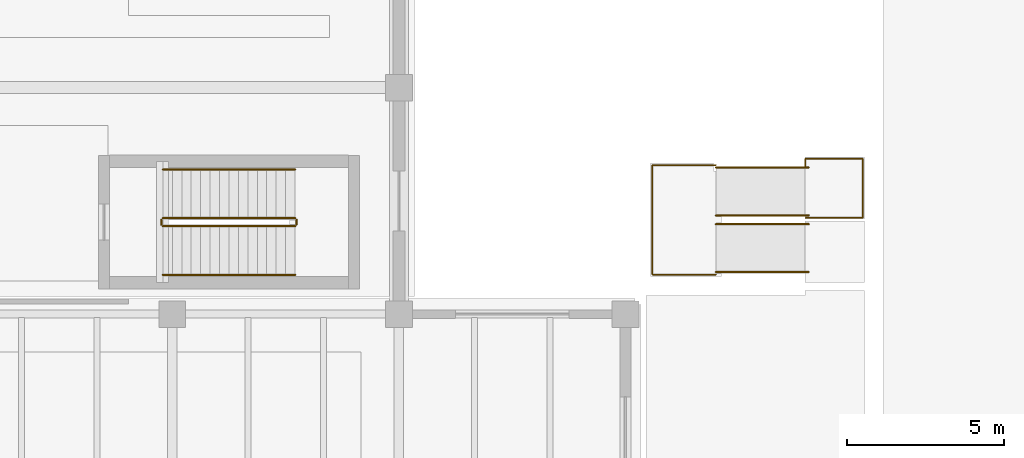
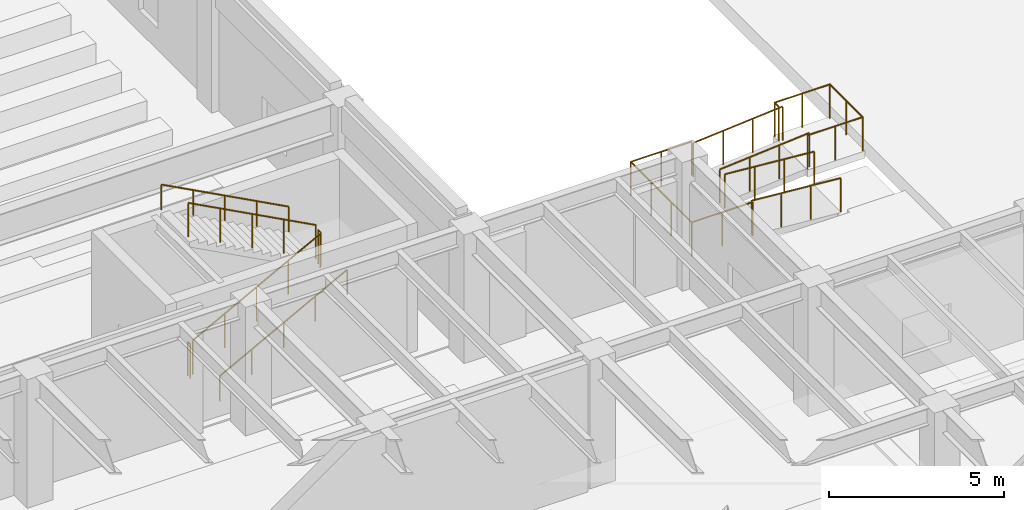
# One storey, part 37 of 39: 12 railings.
"""IFC4 building model written with IfcOpenShell, lengths in metres."""

from ifc_helpers import new_model, si_unit, direction, frame, origin, origin_2d, place, context, subcontext, project, spatial, circle, extrude, material, type_object, element, save


model = new_model("IFC4")

# Units and contexts
model_context = context("Model", 3, precision=1e-05, world=origin(), true_north=direction((0.0, 1.0)))
body_context = subcontext(model_context, "Body", "Model", "MODEL_VIEW")
ifc_project = project(units=[si_unit("LENGTHUNIT", "METRE"), si_unit("AREAUNIT", "SQUARE_METRE"), si_unit("VOLUMEUNIT", "CUBIC_METRE"), si_unit("PLANEANGLEUNIT", "RADIAN"), si_unit("MASSUNIT", "GRAM", prefix="KILO")], contexts=[model_context])

# Site, building, storey
site_placement = place(None, origin())
site = spatial("IfcSite", under=ifc_project, at=site_placement, CompositionType="ELEMENT")
building_placement = place(site_placement, origin())
building = spatial("IfcBuilding", under=site, at=building_placement, Name="Kandorven Conservatory and Botanical Research Centre", CompositionType="ELEMENT")
storey_placement = place(building_placement, origin())
storey = spatial("IfcBuildingStorey", under=building, at=storey_placement, Name="L00", CompositionType="ELEMENT", Elevation=0.0)

# Railings
ifc_material_1 = material(Name="Steel S355 (IS 2062 E350)", Category="steel")
railing_type_1 = type_object("IfcRailingType", Name="Guard_Terrace", PredefinedType="BALUSTRADE", material=ifc_material_1)
for number, where, name in (
    (1, (44.8798828125, 36.139892578125, -0.239990234375), "Courtyard accessible ramp guard balustrade GR-01 (RAIL-RAMP-F1-S)"),
    (2, (44.8798828125, 37.659912109375, -0.239990234375), "Courtyard accessible ramp guard balustrade GR-01 (RAIL-RAMP-F1-N)"),
):
    element("IfcRailing", number, at=place(storey_placement, frame(where)), inside=storey, type_object=railing_type_1, Name=name, PredefinedType="BALUSTRADE", context=body_context, shape_type="SweptSolid", body=[
        extrude(circle(Radius=0.02392578125, at=origin_2d()), frame((0.0, 0.0, 1.17578125), z_axis=(0.996685300608, 0.0, -0.081353620402), x_axis=(0.0, 1.0, 0.0)), (0.0, 0.0, 1.0), 2.949951171875),
        extrude(circle(Radius=0.02099609375, at=origin_2d()), origin(), (0.0, 0.0, 1.0), 1.15185546875),
        extrude(circle(Radius=0.02099609375, at=origin_2d()), frame((0.97998046875, 0.0, -0.080078125)), (0.0, 0.0, 1.0), 1.15185546875),
        extrude(circle(Radius=0.02099609375, at=origin_2d()), frame((1.960205078125, 0.0, -0.159912109375)), (0.0, 0.0, 1.0), 1.15185546875),
        extrude(circle(Radius=0.02099609375, at=origin_2d()), frame((2.940185546875, 0.0, -0.239990234375)), (0.0, 0.0, 1.0), 1.15185546875),
    ])
for number, where, name in (
    (3, (44.8798828125, 37.93994140625, -0.239990234375), "Courtyard accessible ramp guard balustrade GR-01 (RAIL-RAMP-F2-S)"),
    (4, (44.8798828125, 39.4599609375, -0.239990234375), "Courtyard accessible ramp guard balustrade GR-01 (RAIL-RAMP-F2-N)"),
):
    element("IfcRailing", number, at=place(storey_placement, frame(where)), inside=storey, type_object=railing_type_1, Name=name, PredefinedType="BALUSTRADE", context=body_context, shape_type="SweptSolid", body=[
        extrude(circle(Radius=0.02392578125, at=origin_2d()), frame((0.0, 0.0, 1.17578125), z_axis=(0.996685300608, 0.0, 0.081353620402), x_axis=(0.0, 1.0, 0.0)), (0.0, 0.0, 1.0), 2.949951171875),
        extrude(circle(Radius=0.02099609375, at=origin_2d()), origin(), (0.0, 0.0, 1.0), 1.15185546875),
        extrude(circle(Radius=0.02099609375, at=origin_2d()), frame((0.97998046875, 0.0, 0.080078125)), (0.0, 0.0, 1.0), 1.15185546875),
        extrude(circle(Radius=0.02099609375, at=origin_2d()), frame((1.960205078125, 0.0, 0.159912109375)), (0.0, 0.0, 1.0), 1.15185546875),
        extrude(circle(Radius=0.02099609375, at=origin_2d()), frame((2.940185546875, 0.0, 0.239990234375)), (0.0, 0.0, 1.0), 1.15185546875),
    ])
railing_1_placement = place(storey_placement, frame((44.8798828125, 36.06005859375, -0.239990234375)))
element("IfcRailing", 5, at=railing_1_placement, inside=storey, type_object=railing_type_1, Name="Courtyard accessible ramp guard balustrade GR-01 (RAIL-RAMP-LDG)", PredefinedType="BALUSTRADE", context=body_context, shape_type="SweptSolid", body=[
    extrude(circle(Radius=0.02392578125, at=origin_2d()), frame((0.0, 0.0, 1.17578125), z_axis=(-1.0, 0.0, 0.0), x_axis=(0.0, -1.0, 0.0)), (0.0, 0.0, 1.0), 2.019775390625),
    extrude(circle(Radius=0.02392578125, at=origin_2d()), frame((-2.019775390625, 0.0, 1.17578125), z_axis=(0.0, 1.0, 0.0), x_axis=(-1.0, 0.0, 0.0)), (0.0, 0.0, 1.0), 3.47998046875),
    extrude(circle(Radius=0.02392578125, at=origin_2d()), frame((-2.019775390625, 3.47998046875, 1.17578125), z_axis=(1.0, 0.0, 0.0), x_axis=(0.0, 1.0, 0.0)), (0.0, 0.0, 1.0), 2.019775390625),
    extrude(circle(Radius=0.02099609375, at=origin_2d()), origin(), (0.0, 0.0, 1.0), 1.15185546875),
    extrude(circle(Radius=0.02099609375, at=origin_2d()), frame((-1.009765625, 0.0, 0.0)), (0.0, 0.0, 1.0), 1.15185546875),
    extrude(circle(Radius=0.02099609375, at=origin_2d()), frame((-2.019775390625, 0.0, 0.0)), (0.0, 0.0, 1.0), 1.15185546875),
    extrude(circle(Radius=0.02099609375, at=origin_2d()), frame((-2.019775390625, 1.159912109375, 0.0)), (0.0, 0.0, 1.0), 1.15185546875),
    extrude(circle(Radius=0.02099609375, at=origin_2d()), frame((-2.019775390625, 2.320068359375, 0.0)), (0.0, 0.0, 1.0), 1.15185546875),
    extrude(circle(Radius=0.02099609375, at=origin_2d()), frame((-2.019775390625, 3.47998046875, 0.0)), (0.0, 0.0, 1.0), 1.15185546875),
    extrude(circle(Radius=0.02099609375, at=origin_2d()), frame((-1.009765625, 3.47998046875, 0.0)), (0.0, 0.0, 1.0), 1.15185546875),
    extrude(circle(Radius=0.02099609375, at=origin_2d()), frame((0.0, 3.47998046875, 0.0)), (0.0, 0.0, 1.0), 1.15185546875),
])
railing_2_placement = place(storey_placement, frame((47.719970703125, 39.5, 0.0)))
element("IfcRailing", 6, at=railing_2_placement, inside=storey, type_object=railing_type_1, Name="Courtyard accessible ramp guard balustrade GR-01 (RAIL-RAMP-ARR)", PredefinedType="BALUSTRADE", context=body_context, shape_type="SweptSolid", body=[
    extrude(circle(Radius=0.02392578125, at=origin_2d()), frame((0.0, 0.0, 1.17578125), z_axis=(0.0, 1.0, 0.0), x_axis=(-1.0, 0.0, 0.0)), (0.0, 0.0, 1.0), 0.239990234375),
    extrude(circle(Radius=0.02392578125, at=origin_2d()), frame((0.0, 0.239990234375, 1.17578125), z_axis=(1.0, 0.0, 0.0), x_axis=(0.0, 1.0, 0.0)), (0.0, 0.0, 1.0), 1.820068359375),
    extrude(circle(Radius=0.02392578125, at=origin_2d()), frame((1.820068359375, 0.239990234375, 1.17578125), z_axis=(0.0, -1.0, 0.0), x_axis=(1.0, 0.0, 0.0)), (0.0, 0.0, 1.0), 1.8798828125),
    extrude(circle(Radius=0.02392578125, at=origin_2d()), frame((1.820068359375, -1.639892578125, 1.17578125), z_axis=(-1.0, 0.0, 0.0), x_axis=(0.0, -1.0, 0.0)), (0.0, 0.0, 1.0), 1.820068359375),
    extrude(circle(Radius=0.02099609375, at=origin_2d()), origin(), (0.0, 0.0, 1.0), 1.15185546875),
    extrude(circle(Radius=0.02099609375, at=origin_2d()), frame((0.0, 0.239990234375, 0.0)), (0.0, 0.0, 1.0), 1.15185546875),
    extrude(circle(Radius=0.02099609375, at=origin_2d()), frame((0.91015625, 0.239990234375, 0.0)), (0.0, 0.0, 1.0), 1.15185546875),
    extrude(circle(Radius=0.02099609375, at=origin_2d()), frame((1.820068359375, 0.239990234375, 0.0)), (0.0, 0.0, 1.0), 1.15185546875),
    extrude(circle(Radius=0.02099609375, at=origin_2d()), frame((1.820068359375, -0.699951171875, 0.0)), (0.0, 0.0, 1.0), 1.15185546875),
    extrude(circle(Radius=0.02099609375, at=origin_2d()), frame((1.820068359375, -1.639892578125, 0.0)), (0.0, 0.0, 1.0), 1.15185546875),
    extrude(circle(Radius=0.02099609375, at=origin_2d()), frame((0.91015625, -1.639892578125, 0.0)), (0.0, 0.0, 1.0), 1.15185546875),
    extrude(circle(Radius=0.02099609375, at=origin_2d()), frame((0.0, -1.639892578125, 0.0)), (0.0, 0.0, 1.0), 1.15185546875),
])
ifc_material_2 = material(Name="Steel S355 (IS 2062 E350)", Category="steel")
railing_type_2 = type_object("IfcRailingType", Name="StairGuard_1150", PredefinedType="BALUSTRADE", material=ifc_material_2)
railing_3_placement = place(storey_placement, frame((27.300048828125, 37.60009765625, 0.159912109375)))
element("IfcRailing", 7, at=railing_3_placement, inside=storey, type_object=railing_type_2, Name="L00 ST-V2 stair guard 1", PredefinedType="BALUSTRADE", context=body_context, shape_type="SweptSolid", body=[
    extrude(circle(Radius=0.02392578125, at=origin_2d()), frame((0.0, 0.0, 1.17578125), z_axis=(0.882351521365, 0.0, 0.470590897432), x_axis=(0.0, 1.0, 0.0)), (0.0, 0.0, 1.0), 4.760009765625),
    extrude(circle(Radius=0.02099609375, at=origin_2d()), origin(), (0.0, 0.0, 1.0), 1.15185546875),
    extrude(circle(Radius=0.02099609375, at=origin_2d()), frame((1.050048828125, 0.0, 0.56005859375)), (0.0, 0.0, 1.0), 1.15185546875),
    extrude(circle(Radius=0.02099609375, at=origin_2d()), frame((2.10009765625, 0.0, 1.1201171875)), (0.0, 0.0, 1.0), 1.15185546875),
    extrude(circle(Radius=0.02099609375, at=origin_2d()), frame((3.14990234375, 0.0, 1.679931640625)), (0.0, 0.0, 1.0), 1.15185546875),
    extrude(circle(Radius=0.02099609375, at=origin_2d()), frame((4.199951171875, 0.0, 2.239990234375)), (0.0, 0.0, 1.0), 1.15185546875),
])
railing_4_placement = place(storey_placement, frame((31.550048828125, 37.64990234375, 2.39990234375)))
element("IfcRailing", 8, at=railing_4_placement, inside=storey, type_object=railing_type_2, Name="L00 ST-V2 stair guard 2", PredefinedType="BALUSTRADE", context=body_context, shape_type="SweptSolid", body=[
    extrude(circle(Radius=0.02392578125, at=origin_2d()), frame((0.0, 0.0, 1.17578125), z_axis=(0.0, 1.0, 0.0), x_axis=(-1.0, 0.0, 0.0)), (0.0, 0.0, 1.0), 0.150146484375),
    extrude(circle(Radius=0.02099609375, at=origin_2d()), origin(), (0.0, 0.0, 1.0), 1.15185546875),
    extrude(circle(Radius=0.02099609375, at=origin_2d()), frame((0.0, 0.150146484375, 0.0)), (0.0, 0.0, 1.0), 1.15185546875),
])
railing_5_placement = place(storey_placement, frame((31.5, 37.85009765625, 2.56005859375)))
element("IfcRailing", 9, at=railing_5_placement, inside=storey, type_object=railing_type_2, Name="L00 ST-V2 stair guard 3", PredefinedType="BALUSTRADE", context=body_context, shape_type="SweptSolid", body=[
    extrude(circle(Radius=0.02392578125, at=origin_2d()), frame((0.0, 0.0, 1.17578125), z_axis=(-0.882351521365, 0.0, 0.470590897432), x_axis=(0.0, -1.0, 0.0)), (0.0, 0.0, 1.0), 4.760009765625),
    extrude(circle(Radius=0.02099609375, at=origin_2d()), origin(), (0.0, 0.0, 1.0), 1.15185546875),
    extrude(circle(Radius=0.02099609375, at=origin_2d()), frame((-1.050048828125, 0.0, 0.56005859375)), (0.0, 0.0, 1.0), 1.15185546875),
    extrude(circle(Radius=0.02099609375, at=origin_2d()), frame((-2.10009765625, 0.0, 1.1201171875)), (0.0, 0.0, 1.0), 1.15185546875),
    extrude(circle(Radius=0.02099609375, at=origin_2d()), frame((-3.14990234375, 0.0, 1.679931640625)), (0.0, 0.0, 1.0), 1.15185546875),
    extrude(circle(Radius=0.02099609375, at=origin_2d()), frame((-4.199951171875, 0.0, 2.239990234375)), (0.0, 0.0, 1.0), 1.15185546875),
])
railing_6_placement = place(storey_placement, frame((27.25, 37.64990234375, 0.0)))
element("IfcRailing", 10, at=railing_6_placement, inside=storey, type_object=railing_type_2, Name="L00 ST-V2 stair guard 4", PredefinedType="BALUSTRADE", context=body_context, shape_type="SweptSolid", body=[
    extrude(circle(Radius=0.02392578125, at=origin_2d()), frame((0.0, 0.0, 1.17578125), z_axis=(0.0, 1.0, 0.0), x_axis=(-1.0, 0.0, 0.0)), (0.0, 0.0, 1.0), 0.150146484375),
    extrude(circle(Radius=0.02099609375, at=origin_2d()), origin(), (0.0, 0.0, 1.0), 1.15185546875),
    extrude(circle(Radius=0.02099609375, at=origin_2d()), frame((0.0, 0.150146484375, 0.0)), (0.0, 0.0, 1.0), 1.15185546875),
])
ifc_material_3 = material(Name="Steel S355 (IS 2062 E350)", Category="steel")
railing_type_3 = type_object("IfcRailingType", Name="StairHandrail_900", PredefinedType="HANDRAIL", material=ifc_material_3)
railing_7_placement = place(storey_placement, frame((27.300048828125, 36.050048828125, 0.159912109375)))
element("IfcRailing", 11, at=railing_7_placement, inside=storey, type_object=railing_type_3, Name="L00 ST-V2 stair handrail 1", PredefinedType="HANDRAIL", context=body_context, shape_type="SweptSolid", body=[
    extrude(circle(Radius=0.02392578125, at=origin_2d()), frame((0.0, 0.0, 0.8759765625), z_axis=(0.882351521365, 0.0, 0.470590897432), x_axis=(0.0, 1.0, 0.0)), (0.0, 0.0, 1.0), 4.760009765625),
    extrude(circle(Radius=0.02099609375, at=origin_2d()), origin(), (0.0, 0.0, 1.0), 0.851806640625),
    extrude(circle(Radius=0.02099609375, at=origin_2d()), frame((1.050048828125, 0.0, 0.56005859375)), (0.0, 0.0, 1.0), 0.851806640625),
    extrude(circle(Radius=0.02099609375, at=origin_2d()), frame((2.10009765625, 0.0, 1.1201171875)), (0.0, 0.0, 1.0), 0.851806640625),
    extrude(circle(Radius=0.02099609375, at=origin_2d()), frame((3.14990234375, 0.0, 1.679931640625)), (0.0, 0.0, 1.0), 0.851806640625),
    extrude(circle(Radius=0.02099609375, at=origin_2d()), frame((4.199951171875, 0.0, 2.239990234375)), (0.0, 0.0, 1.0), 0.851806640625),
])
railing_8_placement = place(storey_placement, frame((31.5, 39.39990234375, 2.56005859375)))
element("IfcRailing", 12, at=railing_8_placement, inside=storey, type_object=railing_type_3, Name="L00 ST-V2 stair handrail 2", PredefinedType="HANDRAIL", context=body_context, shape_type="SweptSolid", body=[
    extrude(circle(Radius=0.02392578125, at=origin_2d()), frame((0.0, 0.0, 0.8759765625), z_axis=(-0.882351521365, 0.0, 0.470590897432), x_axis=(0.0, -1.0, 0.0)), (0.0, 0.0, 1.0), 4.760009765625),
    extrude(circle(Radius=0.02099609375, at=origin_2d()), origin(), (0.0, 0.0, 1.0), 0.851806640625),
    extrude(circle(Radius=0.02099609375, at=origin_2d()), frame((-1.050048828125, 0.0, 0.56005859375)), (0.0, 0.0, 1.0), 0.851806640625),
    extrude(circle(Radius=0.02099609375, at=origin_2d()), frame((-2.10009765625, 0.0, 1.1201171875)), (0.0, 0.0, 1.0), 0.851806640625),
    extrude(circle(Radius=0.02099609375, at=origin_2d()), frame((-3.14990234375, 0.0, 1.679931640625)), (0.0, 0.0, 1.0), 0.851806640625),
    extrude(circle(Radius=0.02099609375, at=origin_2d()), frame((-4.199951171875, 0.0, 2.239990234375)), (0.0, 0.0, 1.0), 0.851806640625),
])

save(model, "model.ifc")
